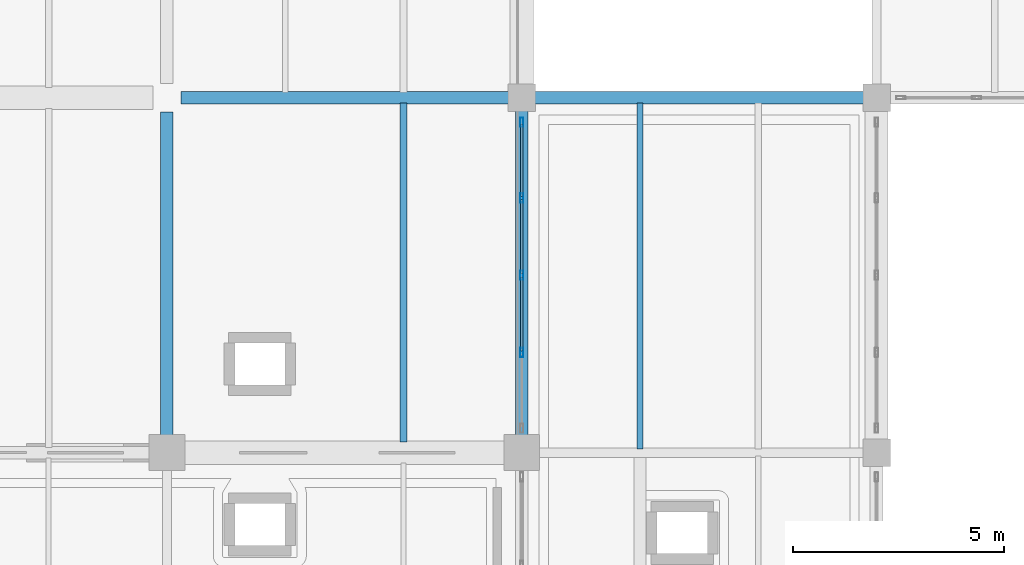
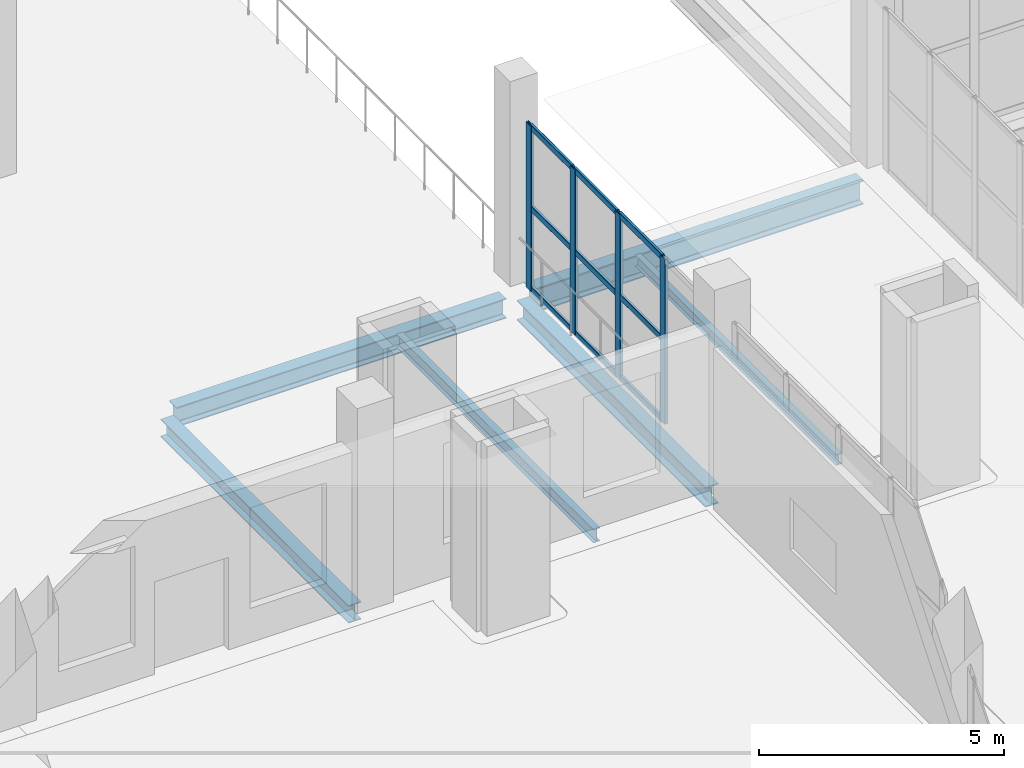
# One storey, part 15 of 73: 13 members, 6 beams, 1 element without a shape of its own.
"""IFC4 building model written with IfcOpenShell, lengths in metres."""

import ifcopenshell
import ifcopenshell.guid

model = None  # the IFC model being written
_history = None  # IfcOwnerHistory: only IFC2X3 demands one
_inside = {}  # id of a spatial element -> (the spatial element, [elements in it])
_under = {}  # id of a project, library or spatial element -> (it, [spatial elements below it])
_declared = {}  # id of a project -> (the project, [libraries it declares])
_typed = {}  # id of a type object -> (the type object, [elements of that type])
_made_of = {}  # id of a material, layer set ... -> (it, [elements and type objects made of it])


def new_model(schema):
    """Start an empty IFC model of exactly this schema.

    Asked for "IFC4X3", IfcOpenShell would pick the latest addendum, in which some entities
    have other attributes; the version numbers below select the first issue.
    IFC2X3 requires an IfcOwnerHistory on every rooted entity: one is made here for all.
    """
    global model, _history
    if schema == "IFC4X3":
        model = ifcopenshell.file(schema_version=(4, 3, 0, 0))
    else:
        model = ifcopenshell.file(schema=schema)
    _inside.clear()
    _under.clear()
    _declared.clear()
    _typed.clear()
    _made_of.clear()
    _history = None
    if model.schema == "IFC2X3":
        org = make("IfcOrganization", Name="unknown")
        user = make(
            "IfcPersonAndOrganization",
            ThePerson=make("IfcPerson", FamilyName="unknown"),
            TheOrganization=org,
        )
        app = make(
            "IfcApplication",
            ApplicationDeveloper=org,
            Version="unknown",
            ApplicationFullName="unknown",
            ApplicationIdentifier="unknown",
        )
        _history = make(
            "IfcOwnerHistory",
            OwningUser=user,
            OwningApplication=app,
            ChangeAction="ADDED",
            CreationDate=0,
        )
    return model


def make(cls, **values):
    """One entity of the class cls with the attributes given. An attribute that is None is left unset."""
    return model.create_entity(
        cls, **{name: value for name, value in values.items() if value is not None}
    )


def rooted(cls, **values):
    """An entity with a GlobalId (a new one), such as an element, a storey or a relation."""
    return make(cls, GlobalId=ifcopenshell.guid.new(), OwnerHistory=_history, **values)


def si_unit(unit_type, name, prefix=None):
    """IfcSIUnit, for example si_unit("LENGTHUNIT", "METRE", prefix="MILLI")."""
    return make("IfcSIUnit", UnitType=unit_type, Prefix=prefix, Name=name)


def assignment(units):
    """IfcUnitAssignment: the units of a project."""
    return None if units is None else make("IfcUnitAssignment", Units=units)


def point(xyz):
    """IfcCartesianPoint."""
    return None if xyz is None else make("IfcCartesianPoint", Coordinates=xyz)


def direction(xyz):
    """IfcDirection."""
    return None if xyz is None else make("IfcDirection", DirectionRatios=xyz)


def frame(location, z_axis=None, x_axis=None):
    """IfcAxis2Placement3D, a coordinate frame: its origin and axes. An axis left out is left unset."""
    return make(
        "IfcAxis2Placement3D",
        Location=point(location),
        Axis=direction(z_axis),
        RefDirection=direction(x_axis),
    )


def frame_2d(location, x_axis=None):
    """IfcAxis2Placement2D, a coordinate frame in the plane: its origin and x axis."""
    return make(
        "IfcAxis2Placement2D", Location=point(location), RefDirection=direction(x_axis)
    )


def origin():
    """The frame at (0, 0, 0) with its axes left unset."""
    return frame((0.0, 0.0, 0.0))


def origin_2d():
    """The frame at (0, 0) in the plane with its x axis left unset."""
    return frame_2d((0.0, 0.0))


def place(relative_to, where):
    """IfcLocalPlacement: puts the frame where relative to a parent placement (None: the world)."""
    return make(
        "IfcLocalPlacement", PlacementRelTo=relative_to, RelativePlacement=where
    )


def context(
    kind, dimensions, precision=None, world=None, true_north=None, identifier=None
):
    """IfcGeometricRepresentationContext, for example the 3D "Model" context."""
    return make(
        "IfcGeometricRepresentationContext",
        ContextIdentifier=identifier,
        ContextType=kind,
        CoordinateSpaceDimension=dimensions,
        Precision=precision,
        WorldCoordinateSystem=world,
        TrueNorth=true_north,
    )


def subcontext(parent, identifier, kind, view, scale=None):
    """IfcGeometricRepresentationSubContext, for example "Body" below "Model"."""
    return make(
        "IfcGeometricRepresentationSubContext",
        ContextIdentifier=identifier,
        ContextType=kind,
        ParentContext=parent,
        TargetScale=scale,
        TargetView=view,
    )


def project(units=None, contexts=None):
    """IfcProject with its units and contexts."""
    return rooted(
        "IfcProject",
        Name="project",
        RepresentationContexts=contexts,
        UnitsInContext=assignment(units),
    )


def spatial(cls, under=None, at=None, **own):
    """A site, building, storey or space (cls), placed at a placement, below another one or the project."""
    s = rooted(cls, ObjectPlacement=at, **own)
    if under is not None:
        _under.setdefault(under.id(), (under, []))[1].append(s)
    return s


def profile(cls, at=None, kind="AREA", **sizes):
    """A parametric profile (cls). Its sizes go by their IFC names, for example OverallWidth=200.0."""
    return make(cls, ProfileType=kind, Position=at, **sizes)


def hollow_rectangle(**sizes):
    """IfcRectangleHollowProfileDef."""
    return profile("IfcRectangleHollowProfileDef", **sizes)


def i_section(**sizes):
    """IfcIShapeProfileDef."""
    return profile("IfcIShapeProfileDef", **sizes)


def extrude(swept, where, along, depth):
    """IfcExtrudedAreaSolid: the profile swept, set in the frame where, extruded along a direction by depth."""
    return make(
        "IfcExtrudedAreaSolid",
        SweptArea=swept,
        Position=where,
        ExtrudedDirection=direction(along),
        Depth=depth,
    )


def shape(context_of_items, identifier, shape_type, items):
    """IfcShapeRepresentation: the items that make up one representation, for example the "Body"."""
    return make(
        "IfcShapeRepresentation",
        ContextOfItems=context_of_items,
        RepresentationIdentifier=identifier,
        RepresentationType=shape_type,
        Items=items,
    )


def material(Name=None, Category=None):
    """IfcMaterial."""
    return make("IfcMaterial", Name=Name, Category=Category)


def layer(
    of_material, thickness, ventilated=None, Name=None, Category=None, Priority=None
):
    """IfcMaterialLayer: one layer of a wall or slab, of a material (None: an air gap)."""
    return make(
        "IfcMaterialLayer",
        Material=of_material,
        LayerThickness=thickness,
        IsVentilated=ventilated,
        Name=Name,
        Category=Category,
        Priority=Priority,
    )


def layer_set(layers, Name=None):
    """IfcMaterialLayerSet."""
    return make("IfcMaterialLayerSet", MaterialLayers=layers, LayerSetName=Name)


def material_profile(
    of_material, cross_section, Name=None, Category=None, Priority=None
):
    """IfcMaterialProfile: a cross section and its material."""
    return make(
        "IfcMaterialProfile",
        Name=Name,
        Material=of_material,
        Profile=cross_section,
        Priority=Priority,
        Category=Category,
    )


def profile_set(profiles, Name=None, composite=None):
    """IfcMaterialProfileSet."""
    return make(
        "IfcMaterialProfileSet",
        Name=Name,
        MaterialProfiles=profiles,
        CompositeProfile=composite,
    )


def made_of(thing, what):
    """Note that an element or type object is made of a material, layer set ...; save() writes the relation."""
    if what is not None:
        _made_of.setdefault(what.id(), (what, []))[1].append(thing)
    return thing


def type_object(cls, material=None, **own):
    """A type object (cls), such as IfcWallType, which elements share."""
    return made_of(rooted(cls, **own), material)


def element(
    cls,
    number,
    at=None,
    inside=None,
    cuts=None,
    type_object=None,
    material=None,
    context=None,
    identifier="Body",
    shape_type=None,
    held_by="IfcProductDefinitionShape",
    body=None,
    shapes=None,
    **own,
):
    """One element of the class cls, such as IfcWall. Its Tag is "e" and its number.

    at: its placement. inside: the storey or other place that contains it. cuts: it is an
    opening in that element (IfcRelVoidsElement). A single representation is given by context,
    identifier, shape_type and body (its items); several are given by shapes. held_by: the class
    of the entity that holds the representations. save() writes the other relations.
    """
    e = rooted(cls, Tag="e%d" % number, ObjectPlacement=at, **own)
    if body is not None:
        shapes = [shape(context, identifier, shape_type, body)]
    if shapes is not None:
        e.Representation = make(held_by, Representations=shapes)
    if inside is not None:
        _inside.setdefault(inside.id(), (inside, []))[1].append(e)
    if cuts is not None:
        rooted(
            "IfcRelVoidsElement", RelatingBuildingElement=cuts, RelatedOpeningElement=e
        )
    if type_object is not None:
        _typed.setdefault(type_object.id(), (type_object, []))[1].append(e)
    return made_of(e, material)


def aggregate(whole, parts):
    """IfcRelAggregates: a whole, such as a stair, and the parts it consists of."""
    return rooted("IfcRelAggregates", RelatingObject=whole, RelatedObjects=parts)


def save(model, path):
    """Write the relations noted so far, then the file.

    IfcRelAggregates (storeys below a building ...), IfcRelContainedInSpatialStructure (elements
    in a storey), IfcRelDefinesByType, IfcRelAssociatesMaterial and IfcRelDeclares: one each for
    every whole, place, type object, material and project.
    """
    for whole, parts in _under.values():
        aggregate(whole, parts)
    for where, things in _inside.values():
        rooted(
            "IfcRelContainedInSpatialStructure",
            RelatedElements=things,
            RelatingStructure=where,
        )
    for kind, things in _typed.values():
        rooted("IfcRelDefinesByType", RelatedObjects=things, RelatingType=kind)
    for what, things in _made_of.values():
        rooted("IfcRelAssociatesMaterial", RelatedObjects=things, RelatingMaterial=what)
    for by, libraries in _declared.values():
        rooted("IfcRelDeclares", RelatingContext=by, RelatedDefinitions=libraries)
    model.write(path)


model = new_model("IFC4")

# Units and contexts
model_context = context("Model", 3, precision=1e-05, world=origin(), true_north=direction((0.0, 1.0)))
body_context = subcontext(model_context, "Body", "Model", "MODEL_VIEW")
ifc_project = project(units=[si_unit("LENGTHUNIT", "METRE"), si_unit("AREAUNIT", "SQUARE_METRE"), si_unit("VOLUMEUNIT", "CUBIC_METRE"), si_unit("PLANEANGLEUNIT", "RADIAN"), si_unit("MASSUNIT", "GRAM", prefix="KILO")], contexts=[model_context])

# Site, building, storey
site_placement = place(None, origin())
site = spatial("IfcSite", under=ifc_project, at=site_placement, CompositionType="ELEMENT")
building_placement = place(site_placement, origin())
building = spatial("IfcBuilding", under=site, at=building_placement, Name="Zulmaris Art Gallery", CompositionType="ELEMENT")
storey_placement = place(building_placement, frame((0.0, 0.0, 10.5)))
storey = spatial("IfcBuildingStorey", under=building, at=storey_placement, Name="L02", CompositionType="ELEMENT", Elevation=10.5)

# Beams
ifc_material_1 = material(Name="Steel S355J2", Category="steel")
ifc_material_profile_1 = material_profile(ifc_material_1, i_section(OverallWidth=0.300048828125, OverallDepth=0.43994140625, WebThickness=0.011474609375, FlangeThickness=0.02099609375, FilletRadius=0.027099609375, at=origin_2d()), Name="HEA 450")
ifc_profile_set_1 = profile_set([ifc_material_profile_1], Name="Steel S355J2")
beam_type_1 = type_object("IfcBeamType", Name="BEAM-BM10", PredefinedType="BEAM", material=ifc_profile_set_1)
beam_1_placement = place(storey_placement, frame((74.39990234375, 50.81005859375, -0.6201171875), z_axis=(0.0, 1.0, 0.0), x_axis=(-1.0, 0.0, 0.0)))
element("IfcBeam", 1, at=beam_1_placement, inside=storey, type_object=beam_type_1, Name="L02 Y-girder (x=74.4, 50.4..58.8)", PredefinedType="BEAM", context=body_context, shape_type="SweptSolid", body=[
    extrude(i_section(OverallWidth=0.300048828125, OverallDepth=0.43994140625, WebThickness=0.011474609375, FlangeThickness=0.02099609375, FilletRadius=0.027099609375, at=origin_2d()), origin(), (0.0, 0.0, 1.0), 7.655029296875),
])
ifc_material_profile_2 = material_profile(ifc_material_1, i_section(OverallWidth=0.300048828125, OverallDepth=0.489990234375, WebThickness=0.011962890625, FlangeThickness=0.02294921875, FilletRadius=0.027099609375, at=origin_2d()), Name="HEA 500")
ifc_profile_set_2 = profile_set([ifc_material_profile_2], Name="Steel S355J2")
beam_type_2 = type_object("IfcBeamType", Name="BEAM-BM11", PredefinedType="BEAM", material=ifc_profile_set_2)
beam_2_placement = place(storey_placement, frame((74.735107421875, 58.800048828125, -0.64501953125), z_axis=(1.0, 0.0, 0.0), x_axis=(0.0, 1.0, 0.0)))
element("IfcBeam", 2, at=beam_2_placement, inside=storey, type_object=beam_type_2, Name="L02 X-girder (74.4..82.8, y=58.8)", PredefinedType="BEAM", context=body_context, shape_type="SweptSolid", body=[
    extrude(i_section(OverallWidth=0.300048828125, OverallDepth=0.489990234375, WebThickness=0.011962890625, FlangeThickness=0.02294921875, FilletRadius=0.027099609375, at=origin_2d()), origin(), (0.0, 0.0, 1.0), 7.7548828125),
])
ifc_material_profile_3 = material_profile(ifc_material_1, i_section(OverallWidth=0.300048828125, OverallDepth=0.5, WebThickness=0.014404296875, FlangeThickness=0.028076171875, FilletRadius=0.027099609375, at=origin_2d()), Name="HEB 500")
ifc_profile_set_3 = profile_set([ifc_material_profile_3], Name="Steel S355J2")
beam_type_3 = type_object("IfcBeamType", Name="BEAM-BM14", PredefinedType="BEAM", material=ifc_profile_set_3)
beam_3_placement = place(storey_placement, frame((82.800048828125, 50.81005859375, -0.64990234375), z_axis=(0.0, 1.0, 0.0), x_axis=(-1.0, 0.0, 0.0)))
element("IfcBeam", 3, at=beam_3_placement, inside=storey, type_object=beam_type_3, Name="L02 Y-girder (x=82.8, 50.4..58.8)", PredefinedType="BEAM", context=body_context, shape_type="SweptSolid", body=[
    extrude(i_section(OverallWidth=0.300048828125, OverallDepth=0.5, WebThickness=0.014404296875, FlangeThickness=0.028076171875, FilletRadius=0.027099609375, at=origin_2d()), origin(), (0.0, 0.0, 1.0), 7.679931640625),
])
ifc_material_profile_4 = material_profile(ifc_material_1, i_section(OverallWidth=0.300048828125, OverallDepth=0.60009765625, WebThickness=0.015380859375, FlangeThickness=0.030029296875, FilletRadius=0.027099609375, at=origin_2d()), Name="HEB 600")
ifc_profile_set_4 = profile_set([ifc_material_profile_4], Name="Steel S355J2")
beam_type_4 = type_object("IfcBeamType", Name="BEAM-BM15", PredefinedType="BEAM", material=ifc_profile_set_4)
beam_4_placement = place(storey_placement, frame((83.110107421875, 58.800048828125, -0.699951171875), z_axis=(1.0, 0.0, 0.0), x_axis=(0.0, 1.0, 0.0)))
element("IfcBeam", 4, at=beam_4_placement, inside=storey, type_object=beam_type_4, Name="L02 X-girder (82.8..91.2, y=58.8)", PredefinedType="BEAM", context=body_context, shape_type="SweptSolid", body=[
    extrude(i_section(OverallWidth=0.300048828125, OverallDepth=0.60009765625, WebThickness=0.015380859375, FlangeThickness=0.030029296875, FilletRadius=0.027099609375, at=origin_2d()), origin(), (0.0, 0.0, 1.0), 7.77978515625),
])
ifc_material_profile_5 = material_profile(ifc_material_1, i_section(OverallWidth=0.135009765625, OverallDepth=0.27001953125, WebThickness=0.006591796875, FlangeThickness=0.01025390625, FilletRadius=0.014892578125, at=origin_2d()), Name="IPE 270")
ifc_profile_set_5 = profile_set([ifc_material_profile_5], Name="Steel S355J2")
beam_type_5 = type_object("IfcBeamType", Name="BEAM-JS02", PredefinedType="JOIST", material=ifc_profile_set_5)
beam_5_placement = place(storey_placement, frame((85.60009765625, 50.485107421875, -0.534912109375), z_axis=(0.0, 1.0, 0.0), x_axis=(-1.0, 0.0, 0.0)))
element("IfcBeam", 5, at=beam_5_placement, inside=storey, type_object=beam_type_5, Name="L02 secondary joist at x=85.6", PredefinedType="JOIST", context=body_context, shape_type="SweptSolid", body=[
    extrude(i_section(OverallWidth=0.135009765625, OverallDepth=0.27001953125, WebThickness=0.006591796875, FlangeThickness=0.01025390625, FilletRadius=0.014892578125, at=origin_2d()), origin(), (0.0, 0.0, 1.0), 8.18994140625),
])
ifc_material_profile_6 = material_profile(ifc_material_1, i_section(OverallWidth=0.159912109375, OverallDepth=0.330078125, WebThickness=0.007568359375, FlangeThickness=0.011474609375, FilletRadius=0.01806640625, at=origin_2d()), Name="IPE 330")
ifc_profile_set_6 = profile_set([ifc_material_profile_6], Name="Steel S355J2")
beam_type_6 = type_object("IfcBeamType", Name="BEAM-JS03", PredefinedType="JOIST", material=ifc_profile_set_6)
beam_6_placement = place(storey_placement, frame((80.0, 50.64990234375, -0.56494140625), z_axis=(0.0, 1.0, 0.0), x_axis=(-1.0, 0.0, 0.0)))
element("IfcBeam", 6, at=beam_6_placement, inside=storey, type_object=beam_type_6, Name="L02 secondary joist at x=80.0", PredefinedType="JOIST", context=body_context, shape_type="SweptSolid", body=[
    extrude(i_section(OverallWidth=0.159912109375, OverallDepth=0.330078125, WebThickness=0.007568359375, FlangeThickness=0.011474609375, FilletRadius=0.01806640625, at=origin_2d()), origin(), (0.0, 0.0, 1.0), 8.025146484375),
])

# Curtain wall, members
ifc_material_2 = material(Name="Cloister & Court Glazed Curtain Wall", Category="aluminium")
ifc_layer = layer(ifc_material_2, 0.179931640625)
ifc_layer_set = layer_set([ifc_layer], Name="Cloister & Court Glazed Curtain Wall")
curtain_wall_type = type_object("IfcCurtainWallType", Name="CW-CW03", PredefinedType="NOTDEFINED", material=ifc_layer_set)
curtain_wall_placement = place(storey_placement, origin())
curtain_wall = element("IfcCurtainWall", 7, at=curtain_wall_placement, inside=storey, type_object=curtain_wall_type, Name="L02 curtain wall 83", PredefinedType="NOTDEFINED")
ifc_material_3 = material(Name="Anodised Bronze Aluminium", Category="aluminium")
ifc_material_profile_7 = material_profile(ifc_material_3, hollow_rectangle(XDim=0.074951171875, YDim=0.219970703125, WallThickness=0.0048828125, InnerFilletRadius=0.007568359375, OuterFilletRadius=0.012451171875, at=origin_2d()), Name="ALU 75x220x5")
ifc_profile_set_7 = profile_set([ifc_material_profile_7], Name="Anodised Bronze Aluminium")
member_type_1 = type_object("IfcMemberType", Name="CWMUL-02", PredefinedType="MULLION", material=ifc_profile_set_7)
member_1_placement = place(storey_placement, frame((82.800048828125, 52.77001953125, 0.0), z_axis=(0.0, 0.0, 1.0), x_axis=(-1.0, 0.0, 0.0)))
member_1 = element("IfcMember", 8, at=member_1_placement, type_object=member_type_1, Name="CW03 mullion 2", PredefinedType="MULLION", context=body_context, shape_type="SweptSolid", body=[
    extrude(hollow_rectangle(XDim=0.074951171875, YDim=0.219970703125, WallThickness=0.0048828125, InnerFilletRadius=0.007568359375, OuterFilletRadius=0.012451171875, at=origin_2d()), origin(), (0.0, 0.0, 1.0), 4.10009765625),
])
member_2_placement = place(storey_placement, frame((82.800048828125, 54.60009765625, 0.0), z_axis=(0.0, 0.0, 1.0), x_axis=(-1.0, 0.0, 0.0)))
member_2 = element("IfcMember", 9, at=member_2_placement, type_object=member_type_1, Name="CW03 mullion 3", PredefinedType="MULLION", context=body_context, shape_type="SweptSolid", body=[
    extrude(hollow_rectangle(XDim=0.074951171875, YDim=0.219970703125, WallThickness=0.0048828125, InnerFilletRadius=0.007568359375, OuterFilletRadius=0.012451171875, at=origin_2d()), origin(), (0.0, 0.0, 1.0), 4.10009765625),
])
member_3_placement = place(storey_placement, frame((82.800048828125, 56.429931640625, 0.0), z_axis=(0.0, 0.0, 1.0), x_axis=(-1.0, 0.0, 0.0)))
member_3 = element("IfcMember", 10, at=member_3_placement, type_object=member_type_1, Name="CW03 mullion 4", PredefinedType="MULLION", context=body_context, shape_type="SweptSolid", body=[
    extrude(hollow_rectangle(XDim=0.074951171875, YDim=0.219970703125, WallThickness=0.0048828125, InnerFilletRadius=0.007568359375, OuterFilletRadius=0.012451171875, at=origin_2d()), origin(), (0.0, 0.0, 1.0), 4.10009765625),
])
member_4_placement = place(storey_placement, frame((82.800048828125, 58.222412109375, 0.0), z_axis=(0.0, 0.0, 1.0), x_axis=(-1.0, 0.0, 0.0)))
member_4 = element("IfcMember", 11, at=member_4_placement, type_object=member_type_1, Name="CW03 mullion 5", PredefinedType="MULLION", context=body_context, shape_type="SweptSolid", body=[
    extrude(hollow_rectangle(XDim=0.074951171875, YDim=0.219970703125, WallThickness=0.0048828125, InnerFilletRadius=0.007568359375, OuterFilletRadius=0.012451171875, at=origin_2d()), origin(), (0.0, 0.0, 1.0), 4.10009765625),
])
ifc_material_profile_8 = material_profile(ifc_material_3, hollow_rectangle(XDim=0.06494140625, YDim=0.14990234375, WallThickness=0.00390625, InnerFilletRadius=0.006103515625, OuterFilletRadius=0.010009765625, at=origin_2d()), Name="ALU 65x150x4")
ifc_profile_set_8 = profile_set([ifc_material_profile_8], Name="Anodised Bronze Aluminium")
member_type_2 = type_object("IfcMemberType", Name="CWTRN-01", PredefinedType="USERDEFINED", material=ifc_profile_set_8)
member_5_placement = place(storey_placement, frame((82.800048828125, 52.8076171875, 0.03759765625), z_axis=(0.0, 1.0, 0.0), x_axis=(-1.0, 0.0, 0.0)))
member_5 = element("IfcMember", 12, at=member_5_placement, type_object=member_type_2, Name="CW03 transom 2.1", ObjectType="TRANSOM", PredefinedType="USERDEFINED", context=body_context, shape_type="SweptSolid", body=[
    extrude(hollow_rectangle(XDim=0.06494140625, YDim=0.14990234375, WallThickness=0.00390625, InnerFilletRadius=0.006103515625, OuterFilletRadius=0.010009765625, at=origin_2d()), origin(), (0.0, 0.0, 1.0), 1.7548828125),
])
member_6_placement = place(storey_placement, frame((82.800048828125, 52.8076171875, 2.050048828125), z_axis=(0.0, 1.0, 0.0), x_axis=(-1.0, 0.0, 0.0)))
member_6 = element("IfcMember", 13, at=member_6_placement, type_object=member_type_2, Name="CW03 transom 2.2", ObjectType="TRANSOM", PredefinedType="USERDEFINED", context=body_context, shape_type="SweptSolid", body=[
    extrude(hollow_rectangle(XDim=0.06494140625, YDim=0.14990234375, WallThickness=0.00390625, InnerFilletRadius=0.006103515625, OuterFilletRadius=0.010009765625, at=origin_2d()), origin(), (0.0, 0.0, 1.0), 1.7548828125),
])
member_7_placement = place(storey_placement, frame((82.800048828125, 52.8076171875, 4.0625), z_axis=(0.0, 1.0, 0.0), x_axis=(-1.0, 0.0, 0.0)))
member_7 = element("IfcMember", 14, at=member_7_placement, type_object=member_type_2, Name="CW03 transom 2.3", ObjectType="TRANSOM", PredefinedType="USERDEFINED", context=body_context, shape_type="SweptSolid", body=[
    extrude(hollow_rectangle(XDim=0.06494140625, YDim=0.14990234375, WallThickness=0.00390625, InnerFilletRadius=0.006103515625, OuterFilletRadius=0.010009765625, at=origin_2d()), origin(), (0.0, 0.0, 1.0), 1.7548828125),
])
member_8_placement = place(storey_placement, frame((82.800048828125, 54.637451171875, 0.03759765625), z_axis=(0.0, 1.0, 0.0), x_axis=(-1.0, 0.0, 0.0)))
member_8 = element("IfcMember", 15, at=member_8_placement, type_object=member_type_2, Name="CW03 transom 3.1", ObjectType="TRANSOM", PredefinedType="USERDEFINED", context=body_context, shape_type="SweptSolid", body=[
    extrude(hollow_rectangle(XDim=0.06494140625, YDim=0.14990234375, WallThickness=0.00390625, InnerFilletRadius=0.006103515625, OuterFilletRadius=0.010009765625, at=origin_2d()), origin(), (0.0, 0.0, 1.0), 1.755126953125),
])
member_9_placement = place(storey_placement, frame((82.800048828125, 54.637451171875, 2.050048828125), z_axis=(0.0, 1.0, 0.0), x_axis=(-1.0, 0.0, 0.0)))
member_9 = element("IfcMember", 16, at=member_9_placement, type_object=member_type_2, Name="CW03 transom 3.2", ObjectType="TRANSOM", PredefinedType="USERDEFINED", context=body_context, shape_type="SweptSolid", body=[
    extrude(hollow_rectangle(XDim=0.06494140625, YDim=0.14990234375, WallThickness=0.00390625, InnerFilletRadius=0.006103515625, OuterFilletRadius=0.010009765625, at=origin_2d()), origin(), (0.0, 0.0, 1.0), 1.755126953125),
])
member_10_placement = place(storey_placement, frame((82.800048828125, 54.637451171875, 4.0625), z_axis=(0.0, 1.0, 0.0), x_axis=(-1.0, 0.0, 0.0)))
member_10 = element("IfcMember", 17, at=member_10_placement, type_object=member_type_2, Name="CW03 transom 3.3", ObjectType="TRANSOM", PredefinedType="USERDEFINED", context=body_context, shape_type="SweptSolid", body=[
    extrude(hollow_rectangle(XDim=0.06494140625, YDim=0.14990234375, WallThickness=0.00390625, InnerFilletRadius=0.006103515625, OuterFilletRadius=0.010009765625, at=origin_2d()), origin(), (0.0, 0.0, 1.0), 1.755126953125),
])
member_11_placement = place(storey_placement, frame((82.800048828125, 56.467529296875, 0.03759765625), z_axis=(0.0, 1.0, 0.0), x_axis=(-1.0, 0.0, 0.0)))
member_11 = element("IfcMember", 18, at=member_11_placement, type_object=member_type_2, Name="CW03 transom 4.1", ObjectType="TRANSOM", PredefinedType="USERDEFINED", context=body_context, shape_type="SweptSolid", body=[
    extrude(hollow_rectangle(XDim=0.06494140625, YDim=0.14990234375, WallThickness=0.00390625, InnerFilletRadius=0.006103515625, OuterFilletRadius=0.010009765625, at=origin_2d()), origin(), (0.0, 0.0, 1.0), 1.717529296875),
])
member_12_placement = place(storey_placement, frame((82.800048828125, 56.467529296875, 2.050048828125), z_axis=(0.0, 1.0, 0.0), x_axis=(-1.0, 0.0, 0.0)))
member_12 = element("IfcMember", 19, at=member_12_placement, type_object=member_type_2, Name="CW03 transom 4.2", ObjectType="TRANSOM", PredefinedType="USERDEFINED", context=body_context, shape_type="SweptSolid", body=[
    extrude(hollow_rectangle(XDim=0.06494140625, YDim=0.14990234375, WallThickness=0.00390625, InnerFilletRadius=0.006103515625, OuterFilletRadius=0.010009765625, at=origin_2d()), origin(), (0.0, 0.0, 1.0), 1.717529296875),
])
member_13_placement = place(storey_placement, frame((82.800048828125, 56.467529296875, 4.0625), z_axis=(0.0, 1.0, 0.0), x_axis=(-1.0, 0.0, 0.0)))
member_13 = element("IfcMember", 20, at=member_13_placement, type_object=member_type_2, Name="CW03 transom 4.3", ObjectType="TRANSOM", PredefinedType="USERDEFINED", context=body_context, shape_type="SweptSolid", body=[
    extrude(hollow_rectangle(XDim=0.06494140625, YDim=0.14990234375, WallThickness=0.00390625, InnerFilletRadius=0.006103515625, OuterFilletRadius=0.010009765625, at=origin_2d()), origin(), (0.0, 0.0, 1.0), 1.717529296875),
])
aggregate(curtain_wall, [member_1, member_2, member_3, member_4, member_5, member_6, member_7, member_8, member_9, member_10, member_11, member_12, member_13])

save(model, "model.ifc")
